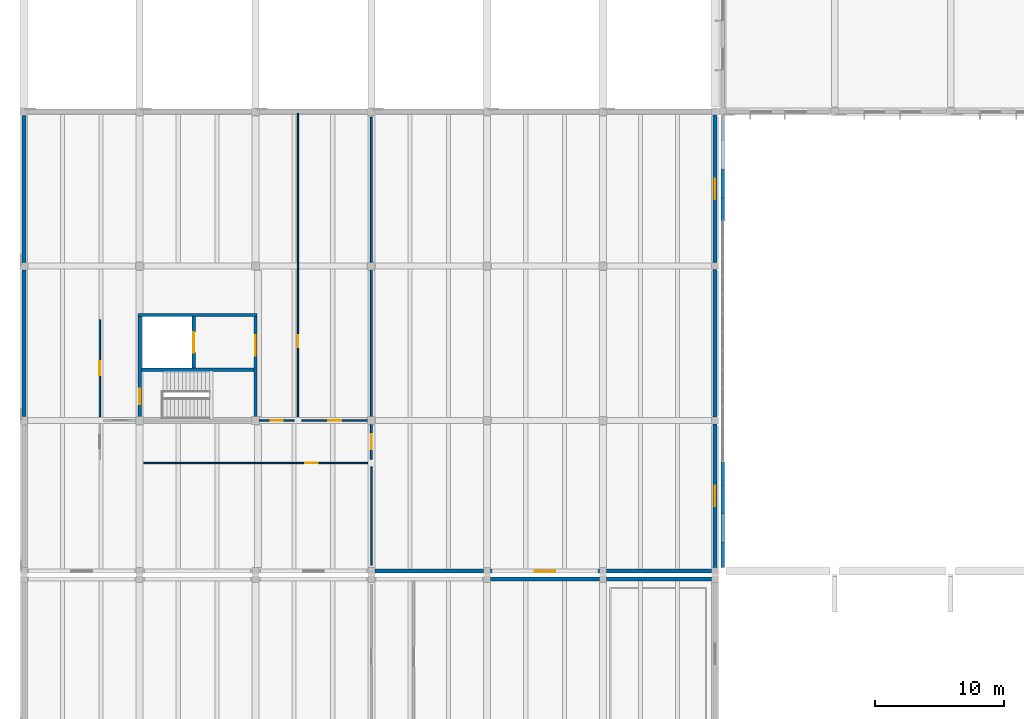
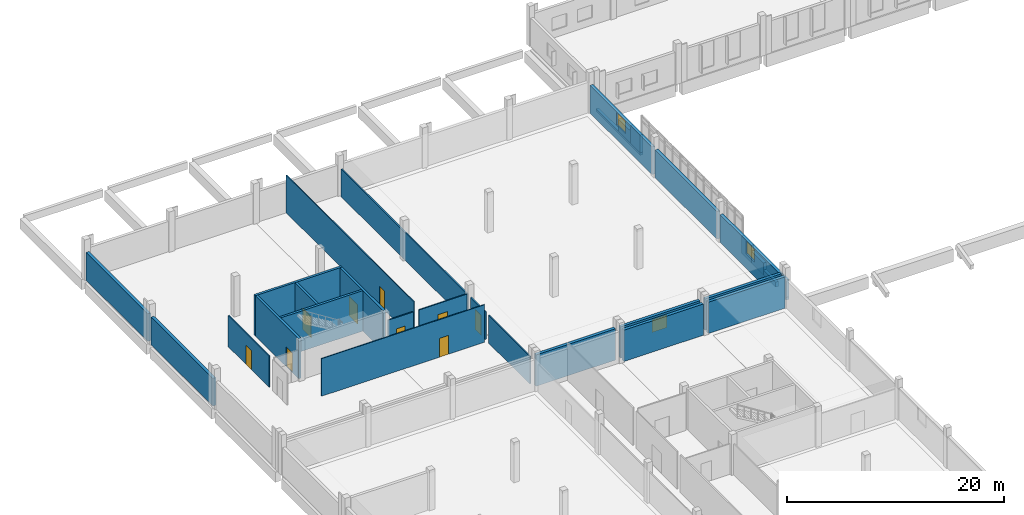
# One storey, part 38 of 63: 31 walls, 9 doors, 3 windows, 12 openings.
"""IFC4 building model written with IfcOpenShell, lengths in metres."""

from ifc_helpers import new_model, si_unit, direction, frame, frame_2d, origin, place, context, subcontext, project, spatial, rectangle, extrude, material, layer, layer_set, type_object, element, fill, save


model = new_model("IFC4")

# Units and contexts
model_context = context("Model", 3, precision=1e-05, world=origin(), true_north=direction((0.0, 1.0)))
body_context = subcontext(model_context, "Body", "Model", "MODEL_VIEW")
ifc_project = project(units=[si_unit("LENGTHUNIT", "METRE"), si_unit("AREAUNIT", "SQUARE_METRE"), si_unit("VOLUMEUNIT", "CUBIC_METRE"), si_unit("PLANEANGLEUNIT", "RADIAN"), si_unit("MASSUNIT", "GRAM", prefix="KILO")], contexts=[model_context])

# Site, building, storey
site_placement = place(None, origin())
site = spatial("IfcSite", under=ifc_project, at=site_placement, CompositionType="ELEMENT")
building_placement = place(site_placement, origin())
building = spatial("IfcBuilding", under=site, at=building_placement, Name="Zacnel Wholesale Market", CompositionType="ELEMENT")
storey_placement = place(building_placement, frame((0.0, 0.0, 11.199951171875)))
storey = spatial("IfcBuildingStorey", under=building, at=storey_placement, Name="L03", CompositionType="ELEMENT", Elevation=11.199951171875)

# Wall
ifc_material_1 = material(Name="Concrete C40/50", Category="concrete")
ifc_layer_1 = layer(ifc_material_1, 0.25)
ifc_layer_set_1 = layer_set([ifc_layer_1], Name="Concrete C40/50")
wall_type_1 = type_object("IfcWallType", Name="WL-CORE-SW250", PredefinedType="SOLIDWALL", material=ifc_layer_set_1)
wall_1_placement = place(storey_placement, frame((26.875, 116.199951171875, 0.0), z_axis=(0.0, 0.0, 1.0), x_axis=(1.0, 0.0, 0.0)))
element("IfcWall", 1, at=wall_1_placement, inside=storey, type_object=wall_type_1, Name="Core C5 north shear wall L03", PredefinedType="SOLIDWALL", context=body_context, shape_type="SweptSolid", body=[
    extrude(rectangle(XDim=9.25, YDim=0.25, at=frame_2d((4.625, 0.0))), origin(), (0.0, 0.0, 1.0), 4.550048828125),
])

# Wall, opening, door
wall_2_placement = place(storey_placement, frame((27.0, 108.125, 0.0), z_axis=(0.0, 0.0, 1.0), x_axis=(0.0, 1.0, 0.0)))
wall_2 = element("IfcWall", 2, at=wall_2_placement, inside=storey, type_object=wall_type_1, Name="Core C5 west shear wall L03", PredefinedType="SOLIDWALL", context=body_context, shape_type="SweptSolid", body=[
    extrude(rectangle(XDim=7.949951171875, YDim=0.25, at=frame_2d((3.97509765625, 0.0))), origin(), (0.0, 0.0, 1.0), 4.550048828125),
])
opening_1_placement = place(wall_2_placement, frame((1.14990234375, 0.0, 0.0)))
opening_1 = element("IfcOpeningElement", 3, at=opening_1_placement, cuts=wall_2, Name="Opening FD-01", PredefinedType="OPENING", context=body_context, shape_type="SweptSolid", body=[
    extrude(rectangle(XDim=1.199951171875, YDim=2.199951171875, at=frame_2d((0.60009765625, 1.10009765625))), frame((0.0, 0.135009765625, 0.0), z_axis=(0.0, -1.0, 0.0), x_axis=(1.0, 0.0, 0.0)), (0.0, 0.0, 1.0), 0.27001953125),
])
ifc_material_2 = material(Name="Galvanized steel", Category="steel")
door_type_1 = type_object("IfcDoorType", Name="DR-FIRE-STAIR-1200", OperationType="NOTDEFINED", PredefinedType="DOOR", material=ifc_material_2)
door_1_placement = place(opening_1_placement, origin())
door_1 = element("IfcDoor", 4, at=door_1_placement, inside=storey, type_object=door_type_1, Name="Protected stair fire door C5 L03", OperationType="SINGLE_SWING_LEFT", OverallHeight=2.199951171875, OverallWidth=1.199951171875, PredefinedType="DOOR", context=body_context, shape_type="SweptSolid", body=[
    extrude(rectangle(XDim=1.199951171875, YDim=2.199951171875, at=frame_2d((0.60009765625, 1.10009765625))), frame((0.0, 0.02490234375, 0.0), z_axis=(0.0, -1.0, 0.0), x_axis=(1.0, 0.0, 0.0)), (0.0, 0.0, 1.0), 0.050048828125),
])
fill(opening_1, door_1)

wall_3_placement = place(storey_placement, frame((36.0, 108.125, 0.0), z_axis=(0.0, 0.0, 1.0), x_axis=(0.0, 1.0, 0.0)))
wall_3 = element("IfcWall", 5, at=wall_3_placement, inside=storey, type_object=wall_type_1, Name="Core C5 east shear wall L03", PredefinedType="SOLIDWALL", context=body_context, shape_type="SweptSolid", body=[
    extrude(rectangle(XDim=7.949951171875, YDim=0.25, at=frame_2d((3.97509765625, 0.0))), origin(), (0.0, 0.0, 1.0), 4.550048828125),
])
opening_2_placement = place(wall_3_placement, frame((4.89990234375, 0.0, 0.0)))
opening_2 = element("IfcOpeningElement", 6, at=opening_2_placement, cuts=wall_3, Name="Opening FD-02", PredefinedType="OPENING", context=body_context, shape_type="SweptSolid", body=[
    extrude(rectangle(XDim=1.60009765625, YDim=2.199951171875, at=frame_2d((0.800048828125, 1.10009765625))), frame((0.0, 0.135009765625, 0.0), z_axis=(0.0, -1.0, 0.0), x_axis=(1.0, 0.0, 0.0)), (0.0, 0.0, 1.0), 0.27001953125),
])
ifc_material_3 = material(Name="Galvanized steel", Category="steel")
door_type_2 = type_object("IfcDoorType", Name="DR-FIRE-LOBBY-1600", OperationType="NOTDEFINED", PredefinedType="DOOR", material=ifc_material_3)
door_2_placement = place(opening_2_placement, origin())
door_2 = element("IfcDoor", 7, at=door_2_placement, inside=storey, type_object=door_type_2, Name="Core lift lobby fire door C5 L03", OperationType="SINGLE_SWING_RIGHT", OverallHeight=2.199951171875, OverallWidth=1.60009765625, PredefinedType="DOOR", context=body_context, shape_type="SweptSolid", body=[
    extrude(rectangle(XDim=1.60009765625, YDim=2.199951171875, at=frame_2d((0.800048828125, 1.10009765625))), frame((0.0, 0.02490234375, 0.0), z_axis=(0.0, -1.0, 0.0), x_axis=(1.0, 0.0, 0.0)), (0.0, 0.0, 1.0), 0.050048828125),
])
fill(opening_2, door_2)

# Wall
wall_4_placement = place(storey_placement, frame((27.125, 111.949951171875, 0.0), z_axis=(0.0, 0.0, 1.0), x_axis=(1.0, 0.0, 0.0)))
element("IfcWall", 8, at=wall_4_placement, inside=storey, type_object=wall_type_1, Name="Core C5 stair-shaft shear wall L03", PredefinedType="SOLIDWALL", context=body_context, shape_type="SweptSolid", body=[
    extrude(rectangle(XDim=8.75, YDim=0.25, at=frame_2d((4.375, 0.0))), origin(), (0.0, 0.0, 1.0), 4.550048828125),
])

# Wall, opening, door
wall_5_placement = place(storey_placement, frame((31.199951171875, 112.074951171875, 0.0), z_axis=(0.0, 0.0, 1.0), x_axis=(0.0, 1.0, 0.0)))
wall_5 = element("IfcWall", 9, at=wall_5_placement, inside=storey, type_object=wall_type_1, Name="Core C5 lift shaft front wall L03", PredefinedType="SOLIDWALL", context=body_context, shape_type="SweptSolid", body=[
    extrude(rectangle(XDim=4.0, YDim=0.25, at=frame_2d((2.0, 0.0))), origin(), (0.0, 0.0, 1.0), 4.550048828125),
])
opening_3_placement = place(wall_5_placement, frame((1.199951171875, 0.0, 0.0)))
opening_3 = element("IfcOpeningElement", 10, at=opening_3_placement, cuts=wall_5, Name="Opening LD-02", PredefinedType="OPENING", context=body_context, shape_type="SweptSolid", body=[
    extrude(rectangle(XDim=1.60009765625, YDim=2.39990234375, at=frame_2d((0.800048828125, 1.199951171875))), frame((0.0, 0.135009765625, 0.0), z_axis=(0.0, -1.0, 0.0), x_axis=(1.0, 0.0, 0.0)), (0.0, 0.0, 1.0), 0.27001953125),
])
ifc_material_4 = material(Name="Galvanized steel", Category="steel")
door_type_3 = type_object("IfcDoorType", Name="DR-LIFT-GOODS-1600", OperationType="NOTDEFINED", PredefinedType="DOOR", material=ifc_material_4)
door_3_placement = place(opening_3_placement, origin())
door_3 = element("IfcDoor", 11, at=door_3_placement, inside=storey, type_object=door_type_3, Name="Lift landing door LG-03 L03", OperationType="SLIDING_TO_LEFT", OverallHeight=2.39990234375, OverallWidth=1.60009765625, PredefinedType="DOOR", context=body_context, shape_type="SweptSolid", body=[
    extrude(rectangle(XDim=1.60009765625, YDim=2.39990234375, at=frame_2d((0.800048828125, 1.199951171875))), frame((0.0, 0.02490234375, 0.0), z_axis=(0.0, -1.0, 0.0), x_axis=(1.0, 0.0, 0.0)), (0.0, 0.0, 1.0), 0.050048828125),
])
fill(opening_3, door_3)

# Walls
ifc_material_5 = material(Name="Precast concrete C40/50 (insulated sandwich panel)", Category="concrete")
ifc_layer_2 = layer(ifc_material_5, 0.320068359375)
ifc_layer_set_2 = layer_set([ifc_layer_2], Name="Precast concrete C40/50 (insulated sandwich panel)")
wall_type_2 = type_object("IfcWallType", Name="WL-EXT-COLD-320", PredefinedType="SOLIDWALL", material=ifc_layer_set_2)
wall_6_placement = place(storey_placement, frame((54.27490234375, 95.699951171875, 0.0), z_axis=(0.0, 0.0, 1.0), x_axis=(1.0, 0.0, 0.0)))
element("IfcWall", 12, at=wall_6_placement, inside=storey, type_object=wall_type_2, Name="Exterior wall L03-0337", PredefinedType="SOLIDWALL", context=body_context, shape_type="SweptSolid", body=[
    extrude(rectangle(XDim=8.4501953125, YDim=0.320068359375, at=frame_2d((4.22509765625, 0.0))), origin(), (0.0, 0.0, 1.0), 3.52001953125),
])
wall_7_placement = place(storey_placement, frame((63.27490234375, 95.699951171875, 0.0), z_axis=(0.0, 0.0, 1.0), x_axis=(1.0, 0.0, 0.0)))
element("IfcWall", 13, at=wall_7_placement, inside=storey, type_object=wall_type_2, Name="Exterior wall L03-0338", PredefinedType="SOLIDWALL", context=body_context, shape_type="SweptSolid", body=[
    extrude(rectangle(XDim=8.150146484375, YDim=0.320068359375, at=frame_2d((4.0751953125, 0.0))), origin(), (0.0, 0.0, 1.0), 3.52001953125),
])
wall_8_placement = place(storey_placement, frame((45.27490234375, 96.300048828125, 0.0), z_axis=(0.0, 0.0, 1.0), x_axis=(1.0, 0.0, 0.0)))
element("IfcWall", 14, at=wall_8_placement, inside=storey, type_object=wall_type_2, Name="Exterior wall L03-0352", PredefinedType="SOLIDWALL", context=body_context, shape_type="SweptSolid", body=[
    extrude(rectangle(XDim=8.4501953125, YDim=0.320068359375, at=frame_2d((4.22509765625, 0.0))), origin(), (0.0, 0.0, 1.0), 3.52001953125),
])

# Wall, opening, window
wall_9_placement = place(storey_placement, frame((54.27490234375, 96.300048828125, 0.0), z_axis=(0.0, 0.0, 1.0), x_axis=(1.0, 0.0, 0.0)))
wall_9 = element("IfcWall", 15, at=wall_9_placement, inside=storey, type_object=wall_type_2, Name="Exterior wall L03-0353", PredefinedType="SOLIDWALL", context=body_context, shape_type="SweptSolid", body=[
    extrude(rectangle(XDim=8.4501953125, YDim=0.320068359375, at=frame_2d((4.22509765625, 0.0))), origin(), (0.0, 0.0, 1.0), 3.52001953125),
])
opening_4_placement = place(wall_9_placement, frame((3.425048828125, 0.0, 1.6298828125)))
opening_4 = element("IfcOpeningElement", 16, at=opening_4_placement, cuts=wall_9, Name="Opening W-06", PredefinedType="OPENING", context=body_context, shape_type="SweptSolid", body=[
    extrude(rectangle(XDim=1.60009765625, YDim=1.449951171875, at=frame_2d((0.800048828125, 0.72509765625))), frame((0.0, 0.169921875, 0.0), z_axis=(0.0, -1.0, 0.0), x_axis=(1.0, 0.0, 0.0)), (0.0, 0.0, 1.0), 0.340087890625),
])
ifc_material_6 = material(Name="Laminated hurricane-impact low-E insulated glass", Category="glass")
window_type = type_object("IfcWindowType", Name="WIN-HIG-1600X1450", PartitioningType="DOUBLE_PANEL_HORIZONTAL", PredefinedType="WINDOW", material=ifc_material_6)
window_1_placement = place(opening_4_placement, origin())
window_1 = element("IfcWindow", 17, at=window_1_placement, inside=storey, type_object=window_type, Name="Window L03-0364", OverallHeight=1.449951171875, OverallWidth=1.60009765625, PartitioningType="DOUBLE_PANEL_HORIZONTAL", PredefinedType="WINDOW", context=body_context, shape_type="SweptSolid", body=[
    extrude(rectangle(XDim=1.60009765625, YDim=1.449951171875, at=frame_2d((0.800048828125, 0.72509765625))), frame((0.0, 0.030029296875, 0.0), z_axis=(0.0, -1.0, 0.0), x_axis=(1.0, 0.0, 0.0)), (0.0, 0.0, 1.0), 0.06005859375),
])
fill(opening_4, window_1)

# Walls
wall_10_placement = place(storey_placement, frame((63.27490234375, 96.300048828125, 0.0), z_axis=(0.0, 0.0, 1.0), x_axis=(1.0, 0.0, 0.0)))
element("IfcWall", 18, at=wall_10_placement, inside=storey, type_object=wall_type_2, Name="Exterior wall L03-0354", PredefinedType="SOLIDWALL", context=body_context, shape_type="SweptSolid", body=[
    extrude(rectangle(XDim=8.150146484375, YDim=0.320068359375, at=frame_2d((4.0751953125, 0.0))), origin(), (0.0, 0.0, 1.0), 3.52001953125),
])
for number, where, z_axis, x_axis, name in (
    (19, (18.0, 108.300048828125, 0.0), (0.0, 0.0, 1.0), (0.0, 1.0, 0.0), "Exterior wall L03-0362"),
    (20, (18.0, 120.300048828125, 0.0), (0.0, 0.0, 1.0), (0.0, 1.0, 0.0), "Exterior wall L03-0363"),
):
    element("IfcWall", number, at=place(storey_placement, frame(where, z_axis=z_axis, x_axis=x_axis)), inside=storey, type_object=wall_type_2, Name=name, PredefinedType="SOLIDWALL", context=body_context, shape_type="SweptSolid", body=[
        extrude(rectangle(XDim=11.39990234375, YDim=0.320068359375, at=frame_2d((5.699951171875, 0.0))), origin(), (0.0, 0.0, 1.0), 3.1201171875),
    ])

# Wall, opening, window
wall_11_placement = place(storey_placement, frame((71.699951171875, 96.574951171875, 0.0), z_axis=(0.0, 0.0, 1.0), x_axis=(0.0, 1.0, 0.0)))
wall_11 = element("IfcWall", 21, at=wall_11_placement, inside=storey, type_object=wall_type_2, Name="Exterior wall L03-0364", PredefinedType="SOLIDWALL", context=body_context, shape_type="SweptSolid", body=[
    extrude(rectangle(XDim=11.150146484375, YDim=0.320068359375, at=frame_2d((5.5751953125, 0.0))), origin(), (0.0, 0.0, 1.0), 3.1201171875),
])
opening_5_placement = place(wall_11_placement, frame((4.77490234375, 0.0, 1.6298828125)))
opening_5 = element("IfcOpeningElement", 22, at=opening_5_placement, cuts=wall_11, Name="Opening W-06", PredefinedType="OPENING", context=body_context, shape_type="SweptSolid", body=[
    extrude(rectangle(XDim=1.60009765625, YDim=1.449951171875, at=frame_2d((0.800048828125, 0.72509765625))), frame((0.0, 0.169921875, 0.0), z_axis=(0.0, -1.0, 0.0), x_axis=(1.0, 0.0, 0.0)), (0.0, 0.0, 1.0), 0.340087890625),
])
window_2_placement = place(opening_5_placement, origin())
window_2 = element("IfcWindow", 23, at=window_2_placement, inside=storey, type_object=window_type, Name="Window L03-0365", OverallHeight=1.449951171875, OverallWidth=1.60009765625, PartitioningType="DOUBLE_PANEL_HORIZONTAL", PredefinedType="WINDOW", context=body_context, shape_type="SweptSolid", body=[
    extrude(rectangle(XDim=1.60009765625, YDim=1.449951171875, at=frame_2d((0.800048828125, 0.72509765625))), frame((0.0, 0.030029296875, 0.0), z_axis=(0.0, -1.0, 0.0), x_axis=(1.0, 0.0, 0.0)), (0.0, 0.0, 1.0), 0.06005859375),
])
fill(opening_5, window_2)

# Wall
wall_12_placement = place(storey_placement, frame((71.699951171875, 108.27490234375, 0.0), z_axis=(0.0, 0.0, 1.0), x_axis=(0.0, 1.0, 0.0)))
element("IfcWall", 24, at=wall_12_placement, inside=storey, type_object=wall_type_2, Name="Exterior wall L03-0365", PredefinedType="SOLIDWALL", context=body_context, shape_type="SweptSolid", body=[
    extrude(rectangle(XDim=11.4501953125, YDim=0.320068359375, at=frame_2d((5.72509765625, 0.0))), origin(), (0.0, 0.0, 1.0), 3.1201171875),
])

# Wall, opening, window
wall_13_placement = place(storey_placement, frame((71.699951171875, 120.27490234375, 0.0), z_axis=(0.0, 0.0, 1.0), x_axis=(0.0, 1.0, 0.0)))
wall_13 = element("IfcWall", 25, at=wall_13_placement, inside=storey, type_object=wall_type_2, Name="Exterior wall L03-0366", PredefinedType="SOLIDWALL", context=body_context, shape_type="SweptSolid", body=[
    extrude(rectangle(XDim=11.4501953125, YDim=0.320068359375, at=frame_2d((5.72509765625, 0.0))), origin(), (0.0, 0.0, 1.0), 3.1201171875),
])
opening_6_placement = place(wall_13_placement, frame((4.925048828125, 0.0, 1.6298828125)))
opening_6 = element("IfcOpeningElement", 26, at=opening_6_placement, cuts=wall_13, Name="Opening W-06", PredefinedType="OPENING", context=body_context, shape_type="SweptSolid", body=[
    extrude(rectangle(XDim=1.60009765625, YDim=1.449951171875, at=frame_2d((0.800048828125, 0.72509765625))), frame((0.0, 0.169921875, 0.0), z_axis=(0.0, -1.0, 0.0), x_axis=(1.0, 0.0, 0.0)), (0.0, 0.0, 1.0), 0.340087890625),
])
window_3_placement = place(opening_6_placement, origin())
window_3 = element("IfcWindow", 27, at=window_3_placement, inside=storey, type_object=window_type, Name="Window L03-0366", OverallHeight=1.449951171875, OverallWidth=1.60009765625, PartitioningType="DOUBLE_PANEL_HORIZONTAL", PredefinedType="WINDOW", context=body_context, shape_type="SweptSolid", body=[
    extrude(rectangle(XDim=1.60009765625, YDim=1.449951171875, at=frame_2d((0.800048828125, 0.72509765625))), frame((0.0, 0.030029296875, 0.0), z_axis=(0.0, -1.0, 0.0), x_axis=(1.0, 0.0, 0.0)), (0.0, 0.0, 1.0), 0.06005859375),
])
fill(opening_6, window_3)

# Walls
ifc_material_7 = material(Name="Precast concrete C40/50 (Cancun limestone aggregate)", Category="masonry")
ifc_layer_3 = layer(ifc_material_7, 0.300048828125)
ifc_layer_set_3 = layer_set([ifc_layer_3], Name="Precast concrete C40/50 (Cancun limestone aggregate)")
wall_type_3 = type_object("IfcWallType", Name="WL-EXT-LIME-300", PredefinedType="SOLIDWALL", material=ifc_layer_set_3)
wall_14_placement = place(storey_placement, frame((72.300048828125, 96.60009765625, 0.0), z_axis=(0.0, 0.0, 1.0), x_axis=(0.0, 1.0, 0.0)))
element("IfcWall", 28, at=wall_14_placement, inside=storey, type_object=wall_type_3, Name="Barrel-shell gable limestone sill course NW-W-1", PredefinedType="SOLIDWALL", context=body_context, shape_type="SweptSolid", body=[
    extrude(rectangle(XDim=8.199951171875, YDim=0.300048828125, at=frame_2d((4.10009765625, 0.0))), origin(), (0.0, 0.0, 1.0), 0.300048828125),
])
wall_15_placement = place(storey_placement, frame((72.300048828125, 96.60009765625, 0.300048828125), z_axis=(0.0, 0.0, 1.0), x_axis=(0.0, 1.0, 0.0)))
element("IfcWall", 29, at=wall_15_placement, inside=storey, type_object=wall_type_3, Name="Barrel-shell gable limestone tympanum NW-W-1", PredefinedType="SOLIDWALL", context=body_context, shape_type="SweptSolid", body=[
    extrude(rectangle(XDim=1.93115234375, YDim=0.300048828125, at=frame_2d((0.965576171875, 0.0))), origin(), (0.0, 0.0, 1.0), 2.0),
])
wall_16_placement = place(storey_placement, frame((72.300048828125, 123.5, 0.0), z_axis=(0.0, 0.0, 1.0), x_axis=(0.0, 1.0, 0.0)))
element("IfcWall", 30, at=wall_16_placement, inside=storey, type_object=wall_type_3, Name="Barrel-shell gable limestone sill course NW-W-2", PredefinedType="SOLIDWALL", context=body_context, shape_type="SweptSolid", body=[
    extrude(rectangle(XDim=8.199951171875, YDim=0.300048828125, at=frame_2d((4.10009765625, 0.0))), origin(), (0.0, 0.0, 1.0), 0.300048828125),
])
wall_17_placement = place(storey_placement, frame((72.300048828125, 123.5, 0.300048828125), z_axis=(0.0, 0.0, 1.0), x_axis=(0.0, 1.0, 0.0)))
element("IfcWall", 31, at=wall_17_placement, inside=storey, type_object=wall_type_3, Name="Barrel-shell gable limestone tympanum NW-W-2", PredefinedType="SOLIDWALL", context=body_context, shape_type="SweptSolid", body=[
    extrude(rectangle(XDim=1.806396484375, YDim=0.300048828125, at=frame_2d((0.9033203125, 0.0))), origin(), (0.0, 0.0, 1.0), 2.0),
])
wall_18_placement = place(storey_placement, frame((72.300048828125, 98.53125, 0.300048828125), z_axis=(0.0, 0.0, 1.0), x_axis=(0.0, 1.0, 0.0)))
element("IfcWall", 32, at=wall_18_placement, inside=storey, type_object=wall_type_3, Name="Barrel-shell gable limestone tympanum NW-W-1 part 2", PredefinedType="SOLIDWALL", context=body_context, shape_type="SweptSolid", body=[
    extrude(rectangle(XDim=2.231201171875, YDim=0.300048828125, at=frame_2d((1.11572265625, 0.0))), origin(), (0.0, 0.0, 1.0), 0.567626953125),
])
wall_19_placement = place(storey_placement, frame((72.300048828125, 100.762451171875, 0.300048828125), z_axis=(0.0, 0.0, 1.0), x_axis=(0.0, 1.0, 0.0)))
element("IfcWall", 33, at=wall_19_placement, inside=storey, type_object=wall_type_3, Name="Barrel-shell gable limestone tympanum NW-W-1 part 3", PredefinedType="SOLIDWALL", context=body_context, shape_type="SweptSolid", body=[
    extrude(rectangle(XDim=2.231201171875, YDim=0.300048828125, at=frame_2d((1.11572265625, 0.0))), origin(), (0.0, 0.0, 1.0), 1.364501953125),
])
wall_20_placement = place(storey_placement, frame((72.300048828125, 102.99365234375, 0.300048828125), z_axis=(0.0, 0.0, 1.0), x_axis=(0.0, 1.0, 0.0)))
element("IfcWall", 34, at=wall_20_placement, inside=storey, type_object=wall_type_3, Name="Barrel-shell gable limestone tympanum NW-W-1 part 4", PredefinedType="SOLIDWALL", context=body_context, shape_type="SweptSolid", body=[
    extrude(rectangle(XDim=1.806396484375, YDim=0.300048828125, at=frame_2d((0.9033203125, 0.0))), origin(), (0.0, 0.0, 1.0), 2.0),
])
wall_21_placement = place(storey_placement, frame((72.300048828125, 125.306396484375, 0.300048828125), z_axis=(0.0, 0.0, 1.0), x_axis=(0.0, 1.0, 0.0)))
element("IfcWall", 35, at=wall_21_placement, inside=storey, type_object=wall_type_3, Name="Barrel-shell gable limestone tympanum NW-W-2 part 2", PredefinedType="SOLIDWALL", context=body_context, shape_type="SweptSolid", body=[
    extrude(rectangle(XDim=2.231201171875, YDim=0.300048828125, at=frame_2d((1.11572265625, 0.0))), origin(), (0.0, 0.0, 1.0), 1.364501953125),
])

# Wall, opening, door
ifc_material_8 = material(Name="Moisture-resistant gypsum board partition")
ifc_layer_4 = layer(ifc_material_8, 0.10009765625)
ifc_layer_set_4 = layer_set([ifc_layer_4], Name="Moisture-resistant gypsum board partition")
wall_type_4 = type_object("IfcWallType", Name="WL-PART-GYP100", PredefinedType="PARTITIONING", material=ifc_layer_set_4)
wall_22_placement = place(storey_placement, frame((27.300048828125, 104.699951171875, 0.0), z_axis=(0.0, 0.0, 1.0), x_axis=(1.0, 0.0, 0.0)))
wall_22 = element("IfcWall", 36, at=wall_22_placement, inside=storey, type_object=wall_type_4, Name="Interior partition L03-0156", PredefinedType="PARTITIONING", context=body_context, shape_type="SweptSolid", body=[
    extrude(rectangle(XDim=17.39990234375, YDim=0.10009765625, at=frame_2d((8.699951171875, 0.0))), origin(), (0.0, 0.0, 1.0), 4.22998046875),
])
opening_7_placement = place(wall_22_placement, frame((12.56005859375, 0.0, 0.0)))
opening_7 = element("IfcOpeningElement", 37, at=opening_7_placement, cuts=wall_22, Name="Opening ID-04", PredefinedType="OPENING", context=body_context, shape_type="SweptSolid", body=[
    extrude(rectangle(XDim=0.97998046875, YDim=2.1201171875, at=frame_2d((0.489990234375, 1.06005859375))), frame((0.0, 0.06005859375, 0.0), z_axis=(0.0, -1.0, 0.0), x_axis=(1.0, 0.0, 0.0)), (0.0, 0.0, 1.0), 0.1201171875),
])
ifc_material_9 = material(Name="Solid-core tropical hardwood door", Category="wood")
door_type_4 = type_object("IfcDoorType", Name="DR-OFF-SGL-980", OperationType="NOTDEFINED", PredefinedType="DOOR", material=ifc_material_9)
door_4_placement = place(opening_7_placement, origin())
door_4 = element("IfcDoor", 38, at=door_4_placement, inside=storey, type_object=door_type_4, Name="Interior door L03-0122", OperationType="SINGLE_SWING_LEFT", OverallHeight=2.1201171875, OverallWidth=0.97998046875, PredefinedType="DOOR", context=body_context, shape_type="SweptSolid", body=[
    extrude(rectangle(XDim=0.97998046875, YDim=2.1201171875, at=frame_2d((0.489990234375, 1.06005859375))), frame((0.0, 0.02490234375, 0.0), z_axis=(0.0, -1.0, 0.0), x_axis=(1.0, 0.0, 0.0)), (0.0, 0.0, 1.0), 0.050048828125),
])
fill(opening_7, door_4)

wall_23_placement = place(storey_placement, frame((39.300048828125, 108.300048828125, 0.0), z_axis=(0.0, 0.0, 1.0), x_axis=(0.0, 1.0, 0.0)))
wall_23 = element("IfcWall", 39, at=wall_23_placement, inside=storey, type_object=wall_type_4, Name="Interior partition L03-0164", PredefinedType="PARTITIONING", context=body_context, shape_type="SweptSolid", body=[
    extrude(rectangle(XDim=23.56005859375, YDim=0.10009765625, at=frame_2d((11.780029296875, 0.0))), origin(), (0.0, 0.0, 1.0), 4.22998046875),
])
opening_8_placement = place(wall_23_placement, frame((5.3798828125, 0.0, 0.0)))
opening_8 = element("IfcOpeningElement", 40, at=opening_8_placement, cuts=wall_23, Name="Opening ID-11", PredefinedType="OPENING", context=body_context, shape_type="SweptSolid", body=[
    extrude(rectangle(XDim=0.93994140625, YDim=2.139892578125, at=frame_2d((0.469970703125, 1.06982421875))), frame((0.0, 0.06005859375, 0.0), z_axis=(0.0, -1.0, 0.0), x_axis=(1.0, 0.0, 0.0)), (0.0, 0.0, 1.0), 0.1201171875),
])
ifc_material_10 = material(Name="Solid-core tropical hardwood door", Category="wood")
door_type_5 = type_object("IfcDoorType", Name="DR-OFF-SGL-940", OperationType="NOTDEFINED", PredefinedType="DOOR", material=ifc_material_10)
door_5_placement = place(opening_8_placement, origin())
door_5 = element("IfcDoor", 41, at=door_5_placement, inside=storey, type_object=door_type_5, Name="Interior door L03-0129", OperationType="SINGLE_SWING_RIGHT", OverallHeight=2.139892578125, OverallWidth=0.93994140625, PredefinedType="DOOR", context=body_context, shape_type="SweptSolid", body=[
    extrude(rectangle(XDim=0.93994140625, YDim=2.139892578125, at=frame_2d((0.469970703125, 1.06982421875))), frame((0.0, 0.02490234375, 0.0), z_axis=(0.0, -1.0, 0.0), x_axis=(1.0, 0.0, 0.0)), (0.0, 0.0, 1.0), 0.050048828125),
])
fill(opening_8, door_5)

ifc_material_11 = material(Name="Moisture-resistant gypsum board partition")
ifc_layer_5 = layer(ifc_material_11, 0.110107421875)
ifc_layer_set_5 = layer_set([ifc_layer_5], Name="Moisture-resistant gypsum board partition")
wall_type_5 = type_object("IfcWallType", Name="WL-PART-GYP110", PredefinedType="PARTITIONING", material=ifc_layer_set_5)
wall_24_placement = place(storey_placement, frame((39.60009765625, 108.0, 0.0), z_axis=(0.0, 0.0, 1.0), x_axis=(1.0, 0.0, 0.0)))
wall_24 = element("IfcWall", 42, at=wall_24_placement, inside=storey, type_object=wall_type_5, Name="Interior partition L03-0159", PredefinedType="PARTITIONING", context=body_context, shape_type="SweptSolid", body=[
    extrude(rectangle(XDim=5.099853515625, YDim=0.110107421875, at=frame_2d((2.5498046875, 0.0))), origin(), (0.0, 0.0, 1.0), 3.420166015625),
])
opening_9_placement = place(wall_24_placement, frame((2.0400390625, 0.0, 0.0)))
opening_9 = element("IfcOpeningElement", 43, at=opening_9_placement, cuts=wall_24, Name="Opening ID-12", PredefinedType="OPENING", context=body_context, shape_type="SweptSolid", body=[
    extrude(rectangle(XDim=1.02001953125, YDim=2.179931640625, at=frame_2d((0.510009765625, 1.08984375))), frame((0.0, 0.06494140625, 0.0), z_axis=(0.0, -1.0, 0.0), x_axis=(1.0, 0.0, 0.0)), (0.0, 0.0, 1.0), 0.130126953125),
])
ifc_material_12 = material(Name="Solid-core tropical hardwood door", Category="wood")
door_type_6 = type_object("IfcDoorType", Name="DR-OFF-SGL-1020", OperationType="NOTDEFINED", PredefinedType="DOOR", material=ifc_material_12)
door_6_placement = place(opening_9_placement, origin())
door_6 = element("IfcDoor", 44, at=door_6_placement, inside=storey, type_object=door_type_6, Name="Interior door L03-0125", OperationType="SINGLE_SWING_RIGHT", OverallHeight=2.179931640625, OverallWidth=1.02001953125, PredefinedType="DOOR", context=body_context, shape_type="SweptSolid", body=[
    extrude(rectangle(XDim=1.02001953125, YDim=2.179931640625, at=frame_2d((0.510009765625, 1.08984375))), frame((0.0, 0.02490234375, 0.0), z_axis=(0.0, -1.0, 0.0), x_axis=(1.0, 0.0, 0.0)), (0.0, 0.0, 1.0), 0.050048828125),
])
fill(opening_9, door_6)

wall_25_placement = place(storey_placement, frame((23.89990234375, 108.300048828125, 0.0), z_axis=(0.0, 0.0, 1.0), x_axis=(0.0, 1.0, 0.0)))
wall_25 = element("IfcWall", 45, at=wall_25_placement, inside=storey, type_object=wall_type_5, Name="Interior partition L03-0163", PredefinedType="PARTITIONING", context=body_context, shape_type="SweptSolid", body=[
    extrude(rectangle(XDim=7.550048828125, YDim=0.110107421875, at=frame_2d((3.77490234375, 0.0))), origin(), (0.0, 0.0, 1.0), 3.52001953125),
])
opening_10_placement = place(wall_25_placement, frame((3.235107421875, 0.0, 0.0)))
opening_10 = element("IfcOpeningElement", 46, at=opening_10_placement, cuts=wall_25, Name="Opening ID-10", PredefinedType="OPENING", context=body_context, shape_type="SweptSolid", body=[
    extrude(rectangle(XDim=1.080078125, YDim=2.14990234375, at=frame_2d((0.5400390625, 1.074951171875))), frame((0.0, 0.06494140625, 0.0), z_axis=(0.0, -1.0, 0.0), x_axis=(1.0, 0.0, 0.0)), (0.0, 0.0, 1.0), 0.130126953125),
])
ifc_material_13 = material(Name="Galvanized steel", Category="steel")
door_type_7 = type_object("IfcDoorType", Name="DR-STR-SGL-1080", OperationType="NOTDEFINED", PredefinedType="DOOR", material=ifc_material_13)
door_7_placement = place(opening_10_placement, origin())
door_7 = element("IfcDoor", 47, at=door_7_placement, inside=storey, type_object=door_type_7, Name="Interior door L03-0128", OperationType="SINGLE_SWING_LEFT", OverallHeight=2.14990234375, OverallWidth=1.080078125, PredefinedType="DOOR", context=body_context, shape_type="SweptSolid", body=[
    extrude(rectangle(XDim=1.080078125, YDim=2.14990234375, at=frame_2d((0.5400390625, 1.074951171875))), frame((0.0, 0.02490234375, 0.0), z_axis=(0.0, -1.0, 0.0), x_axis=(1.0, 0.0, 0.0)), (0.0, 0.0, 1.0), 0.050048828125),
])
fill(opening_10, door_7)

ifc_material_14 = material(Name="Moisture-resistant gypsum board partition")
ifc_layer_6 = layer(ifc_material_14, 0.125)
ifc_layer_set_6 = layer_set([ifc_layer_6], Name="Moisture-resistant gypsum board partition")
wall_type_6 = type_object("IfcWallType", Name="WL-PART-GYP125", PredefinedType="PARTITIONING", material=ifc_layer_set_6)
wall_26_placement = place(storey_placement, frame((36.300048828125, 108.0, 0.0), z_axis=(0.0, 0.0, 1.0), x_axis=(1.0, 0.0, 0.0)))
wall_26 = element("IfcWall", 48, at=wall_26_placement, inside=storey, type_object=wall_type_6, Name="Interior partition L03-0158", PredefinedType="PARTITIONING", context=body_context, shape_type="SweptSolid", body=[
    extrude(rectangle(XDim=2.699951171875, YDim=0.125, at=frame_2d((1.35009765625, 0.0))), origin(), (0.0, 0.0, 1.0), 3.420166015625),
])
opening_11_placement = place(wall_26_placement, frame((0.8798828125, 0.0, 0.0)))
opening_11 = element("IfcOpeningElement", 49, at=opening_11_placement, cuts=wall_26, Name="Opening ID-11", PredefinedType="OPENING", context=body_context, shape_type="SweptSolid", body=[
    extrude(rectangle(XDim=0.93994140625, YDim=2.139892578125, at=frame_2d((0.469970703125, 1.06982421875))), frame((0.0, 0.072509765625, 0.0), z_axis=(0.0, -1.0, 0.0), x_axis=(1.0, 0.0, 0.0)), (0.0, 0.0, 1.0), 0.14501953125),
])
door_8_placement = place(opening_11_placement, origin())
door_8 = element("IfcDoor", 50, at=door_8_placement, inside=storey, type_object=door_type_5, Name="Interior door L03-0124", OperationType="SINGLE_SWING_LEFT", OverallHeight=2.139892578125, OverallWidth=0.93994140625, PredefinedType="DOOR", context=body_context, shape_type="SweptSolid", body=[
    extrude(rectangle(XDim=0.93994140625, YDim=2.139892578125, at=frame_2d((0.469970703125, 1.06982421875))), frame((0.0, 0.02490234375, 0.0), z_axis=(0.0, -1.0, 0.0), x_axis=(1.0, 0.0, 0.0)), (0.0, 0.0, 1.0), 0.050048828125),
])
fill(opening_11, door_8)

# Wall
wall_27_placement = place(storey_placement, frame((45.0, 96.75, 0.0), z_axis=(0.0, 0.0, 1.0), x_axis=(0.0, 1.0, 0.0)))
element("IfcWall", 51, at=wall_27_placement, inside=storey, type_object=wall_type_6, Name="Interior partition L03-0162", PredefinedType="PARTITIONING", context=body_context, shape_type="SweptSolid", body=[
    extrude(rectangle(XDim=7.64990234375, YDim=0.125, at=frame_2d((3.824951171875, 0.0))), origin(), (0.0, 0.0, 1.0), 3.1201171875),
])

# Wall, opening, door
ifc_material_15 = material(Name="Moisture-resistant gypsum board partition")
ifc_layer_7 = layer(ifc_material_15, 0.139892578125)
ifc_layer_set_7 = layer_set([ifc_layer_7], Name="Moisture-resistant gypsum board partition")
wall_type_7 = type_object("IfcWallType", Name="WL-PART-GYP140", PredefinedType="PARTITIONING", material=ifc_layer_set_7)
wall_28_placement = place(storey_placement, frame((45.0, 105.0, 0.0), z_axis=(0.0, 0.0, 1.0), x_axis=(0.0, 1.0, 0.0)))
wall_28 = element("IfcWall", 52, at=wall_28_placement, inside=storey, type_object=wall_type_7, Name="Interior partition L03-0161", PredefinedType="PARTITIONING", context=body_context, shape_type="SweptSolid", body=[
    extrude(rectangle(XDim=2.699951171875, YDim=0.139892578125, at=frame_2d((1.35009765625, 0.0))), origin(), (0.0, 0.0, 1.0), 3.1201171875),
])
opening_12_placement = place(wall_28_placement, frame((0.77001953125, 0.0, 0.0)))
opening_12 = element("IfcOpeningElement", 53, at=opening_12_placement, cuts=wall_28, Name="Opening ID-13", PredefinedType="OPENING", context=body_context, shape_type="SweptSolid", body=[
    extrude(rectangle(XDim=1.159912109375, YDim=2.219970703125, at=frame_2d((0.580078125, 1.10986328125))), frame((0.0, 0.079833984375, 0.0), z_axis=(0.0, -1.0, 0.0), x_axis=(1.0, 0.0, 0.0)), (0.0, 0.0, 1.0), 0.159912109375),
])
ifc_material_16 = material(Name="Solid-core tropical hardwood door", Category="wood")
door_type_8 = type_object("IfcDoorType", Name="DR-LAB-SGL-1160", OperationType="NOTDEFINED", PredefinedType="DOOR", material=ifc_material_16)
door_9_placement = place(opening_12_placement, origin())
door_9 = element("IfcDoor", 54, at=door_9_placement, inside=storey, type_object=door_type_8, Name="Interior door L03-0127", OperationType="SINGLE_SWING_RIGHT", OverallHeight=2.219970703125, OverallWidth=1.159912109375, PredefinedType="DOOR", context=body_context, shape_type="SweptSolid", body=[
    extrude(rectangle(XDim=1.159912109375, YDim=2.219970703125, at=frame_2d((0.580078125, 1.10986328125))), frame((0.0, 0.02490234375, 0.0), z_axis=(0.0, -1.0, 0.0), x_axis=(1.0, 0.0, 0.0)), (0.0, 0.0, 1.0), 0.050048828125),
])
fill(opening_12, door_9)

# Wall
wall_29_placement = place(storey_placement, frame((45.0, 108.300048828125, 0.0), z_axis=(0.0, 0.0, 1.0), x_axis=(0.0, 1.0, 0.0)))
element("IfcWall", 55, at=wall_29_placement, inside=storey, type_object=wall_type_7, Name="Interior partition L03-0165", PredefinedType="PARTITIONING", context=body_context, shape_type="SweptSolid", body=[
    extrude(rectangle(XDim=23.25, YDim=0.139892578125, at=frame_2d((11.625, 0.0))), origin(), (0.0, 0.0, 1.0), 3.1201171875),
])

save(model, "model.ifc")
